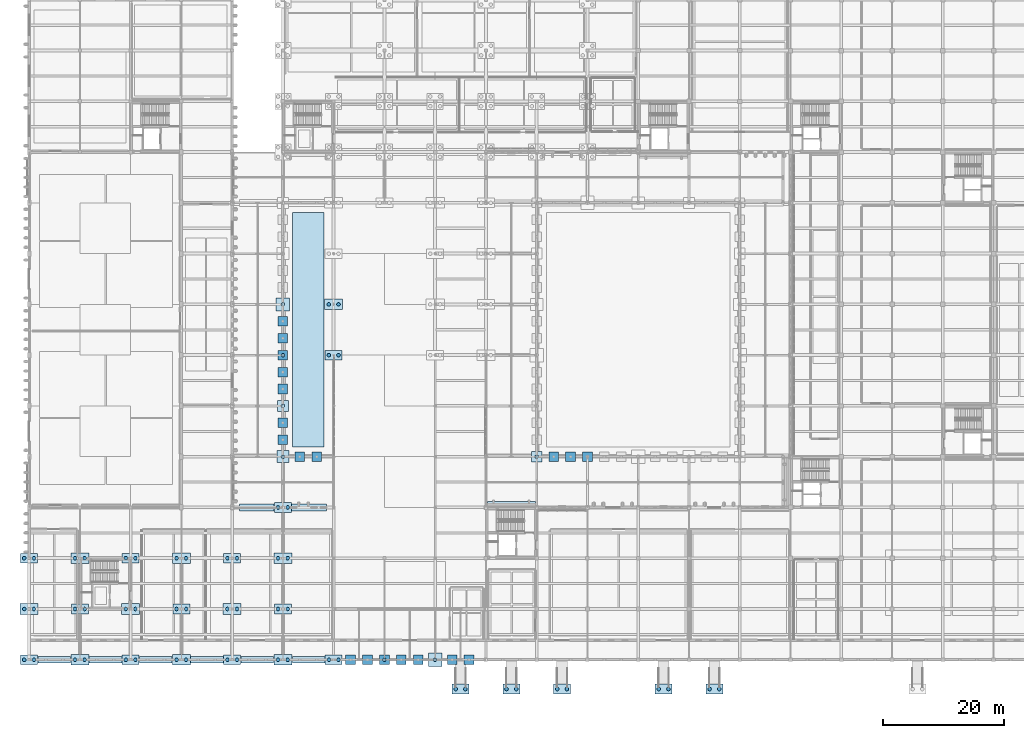
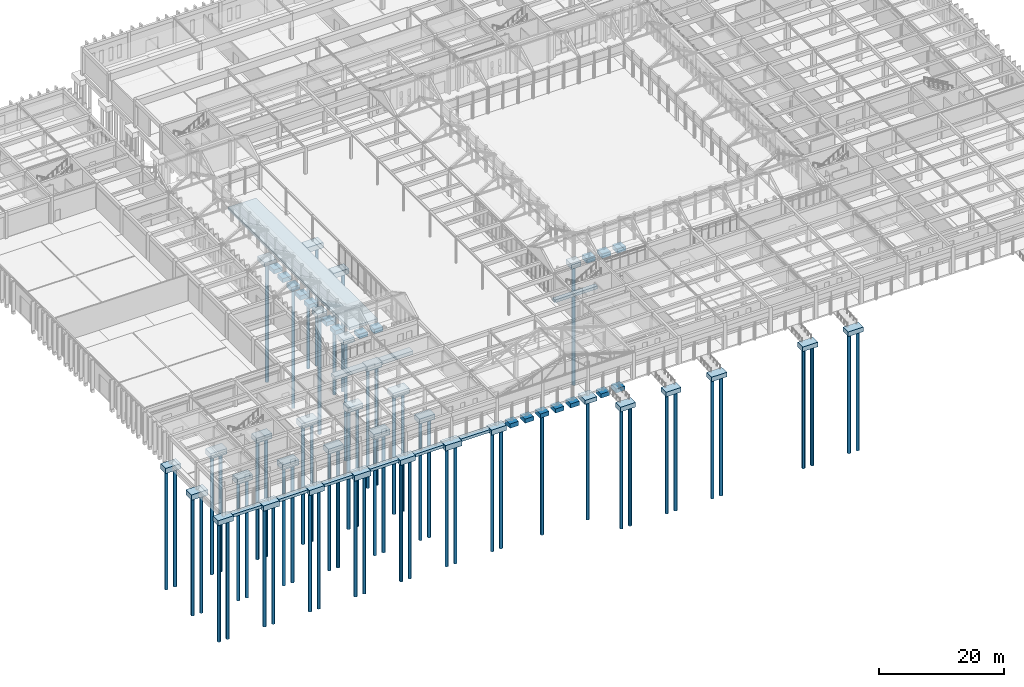
# One storey, part 1 of 143: 61 footings, 61 piles.
"""IFC4 building model written with IfcOpenShell, lengths in metres."""

from ifc_helpers import new_model, si_unit, direction, frame, origin, origin_2d, place, context, subcontext, project, spatial, polyline, rectangle, circle, outline, extrude, material, material_profile, profile_set, type_object, element, save


model = new_model("IFC4")

# Units and contexts
model_context = context("Model", 3, precision=1e-05, world=origin(), true_north=direction((0.0, 1.0)))
body_context = subcontext(model_context, "Body", "Model", "MODEL_VIEW")
ifc_project = project(units=[si_unit("LENGTHUNIT", "METRE"), si_unit("AREAUNIT", "SQUARE_METRE"), si_unit("VOLUMEUNIT", "CUBIC_METRE"), si_unit("PLANEANGLEUNIT", "RADIAN"), si_unit("MASSUNIT", "GRAM", prefix="KILO")], contexts=[model_context])

# Site, building, storey
site_placement = place(None, origin())
site = spatial("IfcSite", under=ifc_project, at=site_placement, CompositionType="ELEMENT")
building_placement = place(site_placement, origin())
building = spatial("IfcBuilding", under=site, at=building_placement, Name="Kveldsbrygga Polytechnic", CompositionType="ELEMENT")
storey_placement = place(building_placement, origin())
storey = spatial("IfcBuildingStorey", under=building, at=storey_placement, Name="L00", CompositionType="ELEMENT", Elevation=0.0)

# Footings
ifc_material_1 = material(Name="Concrete C45/55", Category="concrete")
footing_type_1 = type_object("IfcFootingType", Name="PC-2P-LIGHT", PredefinedType="PILE_CAP", material=ifc_material_1)
for number, where, z_axis, x_axis, name in (
    (1, (0.0, 0.0, -1.320068359375), (0.0, 0.0, 1.0), (1.0, 0.0, 0.0), "Foundation FND-00-00"),
    (2, (0.0, 16.800048828125, -1.320068359375), (0.0, 0.0, 1.0), (1.0, 0.0, 0.0), "Foundation FND-00-02"),
    (3, (8.39990234375, 8.39990234375, -1.320068359375), (0.0, 0.0, 1.0), (1.0, 0.0, 0.0), "Foundation FND-01-01"),
    (4, (16.800048828125, 0.0, -1.320068359375), (0.0, 0.0, 1.0), (1.0, 0.0, 0.0), "Foundation FND-02-00"),
    (5, (16.800048828125, 16.800048828125, -1.320068359375), (0.0, 0.0, 1.0), (1.0, 0.0, 0.0), "Foundation FND-02-02"),
    (6, (25.199951171875, 8.39990234375, -1.320068359375), (0.0, 0.0, 1.0), (1.0, 0.0, 0.0), "Foundation FND-03-01"),
    (7, (33.60009765625, 0.0, -1.320068359375), (0.0, 0.0, 1.0), (1.0, 0.0, 0.0), "Foundation FND-04-00"),
    (8, (33.60009765625, 16.800048828125, -1.320068359375), (0.0, 0.0, 1.0), (1.0, 0.0, 0.0), "Foundation FND-04-02"),
    (9, (42.0, 8.39990234375, -1.320068359375), (0.0, 0.0, 1.0), (1.0, 0.0, 0.0), "Foundation FND-05-01"),
    (10, (42.0, 25.199951171875, -1.320068359375), (0.0, 0.0, 1.0), (1.0, 0.0, 0.0), "Foundation FND-05-03"),
    (11, (50.39990234375, 0.0, -1.320068359375), (0.0, 0.0, 1.0), (1.0, 0.0, 0.0), "Foundation FND-06-00"),
    (12, (50.39990234375, 50.39990234375, -1.320068359375), (0.0, 0.0, 1.0), (1.0, 0.0, 0.0), "Foundation FND-06-06"),
):
    element("IfcFooting", number, at=place(storey_placement, frame(where, z_axis=z_axis, x_axis=x_axis)), inside=storey, type_object=footing_type_1, Name=name, PredefinedType="PILE_CAP", context=body_context, shape_type="SweptSolid", body=[
        extrude(rectangle(XDim=2.800048828125, YDim=1.60009765625, at=origin_2d()), origin(), (0.0, 0.0, 1.0), 1.0),
    ])
for number, where, z_axis, x_axis, name in (
    (13, (71.39990234375, -4.85009765625, -1.179931640625), (0.0, 0.0, 1.0), (1.0, 0.0, 0.0), "Ramp Pile Cap RMP-01-FND-BOT"),
    (14, (79.800048828125, -4.85009765625, -1.179931640625), (0.0, 0.0, 1.0), (1.0, 0.0, 0.0), "Ramp Pile Cap RMP-02-FND-BOT"),
    (15, (88.199951171875, -4.85009765625, -1.179931640625), (0.0, 0.0, 1.0), (1.0, 0.0, 0.0), "Ramp Pile Cap RMP-03-FND-BOT"),
    (16, (105.0, -4.85009765625, -1.179931640625), (0.0, 0.0, 1.0), (1.0, 0.0, 0.0), "Ramp Pile Cap RMP-04-FND-BOT"),
    (17, (113.39990234375, -4.85009765625, -1.179931640625), (0.0, 0.0, 1.0), (1.0, 0.0, 0.0), "Ramp Pile Cap RMP-05-FND-BOT"),
):
    element("IfcFooting", number, at=place(storey_placement, frame(where, z_axis=z_axis, x_axis=x_axis)), inside=storey, type_object=footing_type_1, Name=name, PredefinedType="PILE_CAP", context=body_context, shape_type="SweptSolid", body=[
        extrude(rectangle(XDim=2.800048828125, YDim=1.60009765625, at=origin_2d()), origin(), (0.0, 0.0, 1.0), 0.89990234375),
    ])
footing_type_2 = type_object("IfcFootingType", Name="PC-2P-MED", PredefinedType="PILE_CAP", material=ifc_material_1)
for number, where, z_axis, x_axis, name in (
    (18, (0.0, 8.39990234375, -1.3701171875), (0.0, 0.0, 1.0), (1.0, 0.0, 0.0), "Foundation FND-00-01"),
    (19, (8.39990234375, 0.0, -1.3701171875), (0.0, 0.0, 1.0), (1.0, 0.0, 0.0), "Foundation FND-01-00"),
    (20, (8.39990234375, 16.800048828125, -1.3701171875), (0.0, 0.0, 1.0), (1.0, 0.0, 0.0), "Foundation FND-01-02"),
    (21, (16.800048828125, 8.39990234375, -1.3701171875), (0.0, 0.0, 1.0), (1.0, 0.0, 0.0), "Foundation FND-02-01"),
    (22, (25.199951171875, 0.0, -1.3701171875), (0.0, 0.0, 1.0), (1.0, 0.0, 0.0), "Foundation FND-03-00"),
    (23, (25.199951171875, 16.800048828125, -1.3701171875), (0.0, 0.0, 1.0), (1.0, 0.0, 0.0), "Foundation FND-03-02"),
    (24, (33.60009765625, 8.39990234375, -1.3701171875), (0.0, 0.0, 1.0), (1.0, 0.0, 0.0), "Foundation FND-04-01"),
    (25, (42.0, 0.0, -1.3701171875), (0.0, 0.0, 1.0), (1.0, 0.0, 0.0), "Foundation FND-05-00"),
    (26, (42.0, 16.800048828125, -1.3701171875), (0.0, 0.0, 1.0), (1.0, 0.0, 0.0), "Foundation FND-05-02"),
    (27, (50.39990234375, 58.800048828125, -1.3701171875), (0.0, 0.0, 1.0), (1.0, 0.0, 0.0), "Foundation FND-06-07"),
):
    element("IfcFooting", number, at=place(storey_placement, frame(where, z_axis=z_axis, x_axis=x_axis)), inside=storey, type_object=footing_type_2, Name=name, PredefinedType="PILE_CAP", context=body_context, shape_type="SweptSolid", body=[
        extrude(rectangle(XDim=3.0, YDim=1.75, at=origin_2d()), origin(), (0.0, 0.0, 1.0), 1.050048828125),
    ])
ifc_material_2 = material(Name="Concrete C35/45", Category="concrete")
footing_type_3 = type_object("IfcFootingType", Name="PF-ARCADE-A", PredefinedType="PAD_FOOTING", material=ifc_material_2)
for number, where, z_axis, x_axis, name in (
    (28, (42.0, 58.800048828125, -1.1201171875), (0.0, 0.0, 1.0), (1.0, 0.0, 0.0), "Foundation FND-05-07"),
    (29, (67.199951171875, 0.0, -1.1201171875), (0.0, 0.0, 1.0), (1.0, 0.0, 0.0), "Foundation FND-08-00"),
):
    element("IfcFooting", number, at=place(storey_placement, frame(where, z_axis=z_axis, x_axis=x_axis)), inside=storey, type_object=footing_type_3, Name=name, PredefinedType="PAD_FOOTING", context=body_context, shape_type="SweptSolid", body=[
        extrude(rectangle(XDim=2.199951171875, YDim=2.199951171875, at=origin_2d()), origin(), (0.0, 0.0, 1.0), 0.800048828125),
    ])
footing_type_4 = type_object("IfcFootingType", Name="PF-ARCADE-B", PredefinedType="PAD_FOOTING", material=ifc_material_2)
for number, where, z_axis, x_axis, name in (
    (30, (42.0, 42.0, -1.170166015625), (0.0, 0.0, 1.0), (1.0, 0.0, 0.0), "Foundation FND-05-05"),
    (31, (84.0, 33.60009765625, -1.170166015625), (0.0, 0.0, 1.0), (1.0, 0.0, 0.0), "Foundation FND-10-04"),
):
    element("IfcFooting", number, at=place(storey_placement, frame(where, z_axis=z_axis, x_axis=x_axis)), inside=storey, type_object=footing_type_4, Name=name, PredefinedType="PAD_FOOTING", context=body_context, shape_type="SweptSolid", body=[
        extrude(rectangle(XDim=1.800048828125, YDim=1.800048828125, at=origin_2d()), origin(), (0.0, 0.0, 1.0), 0.85009765625),
    ])
footing_type_5 = type_object("IfcFootingType", Name="PF-ARCADE-C", PredefinedType="PAD_FOOTING", material=ifc_material_2)
footing_1_placement = place(storey_placement, frame((42.0, 33.60009765625, -1.219970703125), z_axis=(0.0, 0.0, 1.0), x_axis=(1.0, 0.0, 0.0)))
element("IfcFooting", 32, at=footing_1_placement, inside=storey, type_object=footing_type_5, Name="Foundation FND-05-04", PredefinedType="PAD_FOOTING", context=body_context, shape_type="SweptSolid", body=[
    extrude(rectangle(XDim=2.0, YDim=2.0, at=origin_2d()), origin(), (0.0, 0.0, 1.0), 0.89990234375),
])
footing_2_placement = place(storey_placement, frame((0.0, 0.0, -0.800048828125)))
element("IfcFooting", 33, at=footing_2_placement, inside=storey, type_object=footing_type_5, Name="Courtyard Paving Subbase WCOURT", PredefinedType="PAD_FOOTING", context=body_context, shape_type="SweptSolid", body=[
    extrude(outline(polyline([(43.60009765625, 35.199951171875), (48.800048828125, 35.199951171875), (48.800048828125, 74.0), (43.60009765625, 74.0), (43.60009765625, 35.199951171875)])), origin(), (0.0, 0.0, 1.0), 0.52001953125),
])
footing_type_6 = type_object("IfcFootingType", Name="PF-ARCADE-D", PredefinedType="PAD_FOOTING", material=ifc_material_2)
for number, where, z_axis, x_axis, name in (
    (34, (42.0, 50.39990234375, -1.14013671875), (0.0, 0.0, 1.0), (1.0, 0.0, 0.0), "Foundation FND-05-06"),
    (35, (58.800048828125, 0.0, -1.14013671875), (0.0, 0.0, 1.0), (1.0, 0.0, 0.0), "Foundation FND-07-00"),
    (36, (92.39990234375, 33.60009765625, -1.14013671875), (0.0, 0.0, 1.0), (1.0, 0.0, 0.0), "Foundation FND-11-04"),
    (37, (53.199951171875, 0.0, -1.14013671875), (0.0, 0.0, 1.0), (1.0, 0.0, 0.0), "Arcade Pier Footing FND-ARC-013"),
    (38, (56.0, 0.0, -1.14013671875), (0.0, 0.0, 1.0), (1.0, 0.0, 0.0), "Arcade Pier Footing FND-ARC-014"),
    (39, (61.60009765625, 0.0, -1.14013671875), (0.0, 0.0, 1.0), (1.0, 0.0, 0.0), "Arcade Pier Footing FND-ARC-015"),
    (40, (64.39990234375, 0.0, -1.14013671875), (0.0, 0.0, 1.0), (1.0, 0.0, 0.0), "Arcade Pier Footing FND-ARC-016"),
    (41, (70.0, 0.0, -1.14013671875), (0.0, 0.0, 1.0), (1.0, 0.0, 0.0), "Arcade Pier Footing FND-ARC-017"),
    (42, (72.800048828125, 0.0, -1.14013671875), (0.0, 0.0, 1.0), (1.0, 0.0, 0.0), "Arcade Pier Footing FND-ARC-018"),
    (43, (44.800048828125, 33.60009765625, -1.14013671875), (0.0, 0.0, 1.0), (1.0, 0.0, 0.0), "Arcade Pier Footing FND-ARC-041"),
    (44, (47.60009765625, 33.60009765625, -1.14013671875), (0.0, 0.0, 1.0), (1.0, 0.0, 0.0), "Arcade Pier Footing FND-ARC-042"),
    (45, (42.0, 36.39990234375, -1.14013671875), (0.0, 0.0, 1.0), (1.0, 0.0, 0.0), "Arcade Pier Footing FND-ARC-045"),
    (46, (42.0, 39.199951171875, -1.14013671875), (0.0, 0.0, 1.0), (1.0, 0.0, 0.0), "Arcade Pier Footing FND-ARC-046"),
    (47, (42.0, 44.800048828125, -1.14013671875), (0.0, 0.0, 1.0), (1.0, 0.0, 0.0), "Arcade Pier Footing FND-ARC-047"),
    (48, (42.0, 47.60009765625, -1.14013671875), (0.0, 0.0, 1.0), (1.0, 0.0, 0.0), "Arcade Pier Footing FND-ARC-048"),
    (49, (42.0, 53.199951171875, -1.14013671875), (0.0, 0.0, 1.0), (1.0, 0.0, 0.0), "Arcade Pier Footing FND-ARC-049"),
    (50, (42.0, 56.0, -1.14013671875), (0.0, 0.0, 1.0), (1.0, 0.0, 0.0), "Arcade Pier Footing FND-ARC-050"),
    (51, (86.800048828125, 33.60009765625, -1.14013671875), (0.0, 0.0, 1.0), (1.0, 0.0, 0.0), "Arcade Pier Footing FND-ARC-055"),
    (52, (89.60009765625, 33.60009765625, -1.14013671875), (0.0, 0.0, 1.0), (1.0, 0.0, 0.0), "Arcade Pier Footing FND-ARC-056"),
):
    element("IfcFooting", number, at=place(storey_placement, frame(where, z_axis=z_axis, x_axis=x_axis)), inside=storey, type_object=footing_type_6, Name=name, PredefinedType="PAD_FOOTING", context=body_context, shape_type="SweptSolid", body=[
        extrude(rectangle(XDim=1.60009765625, YDim=1.60009765625, at=origin_2d()), origin(), (0.0, 0.0, 1.0), 0.820068359375),
    ])

# Piles
ifc_material_profile = material_profile(ifc_material_1, circle(Radius=0.300048828125, at=origin_2d()), Name="PILE D600")
ifc_profile_set = profile_set([ifc_material_profile], Name="Concrete C45/55")
pile_type = type_object("IfcPileType", Name="PILE-D600", PredefinedType="BORED", material=ifc_profile_set)
for number, where, z_axis, x_axis, name in (
    (53, (-0.800048828125, 0.0, -1.169921875), (0.0, 0.0, -1.0), (1.0, 0.0, 0.0), "Bored Pile PIL-00-00-1"),
    (54, (0.800048828125, 0.0, -1.169921875), (0.0, 0.0, -1.0), (1.0, 0.0, 0.0), "Bored Pile PIL-00-00-2"),
):
    element("IfcPile", number, at=place(storey_placement, frame(where, z_axis=z_axis, x_axis=x_axis)), inside=storey, type_object=pile_type, Name=name, PredefinedType="BORED", context=body_context, shape_type="SweptSolid", body=[
        extrude(circle(Radius=0.300048828125, at=origin_2d()), origin(), (0.0, 0.0, 1.0), 23.330078125),
    ])
for number, where, z_axis, x_axis, name in (
    (55, (-0.800048828125, 8.39990234375, -1.219970703125), (0.0, 0.0, -1.0), (1.0, 0.0, 0.0), "Bored Pile PIL-00-01-1"),
    (56, (0.800048828125, 8.39990234375, -1.219970703125), (0.0, 0.0, -1.0), (1.0, 0.0, 0.0), "Bored Pile PIL-00-01-2"),
):
    element("IfcPile", number, at=place(storey_placement, frame(where, z_axis=z_axis, x_axis=x_axis)), inside=storey, type_object=pile_type, Name=name, PredefinedType="BORED", context=body_context, shape_type="SweptSolid", body=[
        extrude(circle(Radius=0.300048828125, at=origin_2d()), origin(), (0.0, 0.0, 1.0), 23.280029296875),
    ])
for number, where, z_axis, x_axis, name in (
    (57, (-0.800048828125, 16.800048828125, -1.169921875), (0.0, 0.0, -1.0), (1.0, 0.0, 0.0), "Bored Pile PIL-00-02-1"),
    (58, (0.800048828125, 16.800048828125, -1.169921875), (0.0, 0.0, -1.0), (1.0, 0.0, 0.0), "Bored Pile PIL-00-02-2"),
):
    element("IfcPile", number, at=place(storey_placement, frame(where, z_axis=z_axis, x_axis=x_axis)), inside=storey, type_object=pile_type, Name=name, PredefinedType="BORED", context=body_context, shape_type="SweptSolid", body=[
        extrude(circle(Radius=0.300048828125, at=origin_2d()), origin(), (0.0, 0.0, 1.0), 23.330078125),
    ])
for number, where, z_axis, x_axis, name in (
    (59, (7.60009765625, 0.0, -1.219970703125), (0.0, 0.0, -1.0), (1.0, 0.0, 0.0), "Bored Pile PIL-01-00-1"),
    (60, (9.199951171875, 0.0, -1.219970703125), (0.0, 0.0, -1.0), (1.0, 0.0, 0.0), "Bored Pile PIL-01-00-2"),
):
    element("IfcPile", number, at=place(storey_placement, frame(where, z_axis=z_axis, x_axis=x_axis)), inside=storey, type_object=pile_type, Name=name, PredefinedType="BORED", context=body_context, shape_type="SweptSolid", body=[
        extrude(circle(Radius=0.300048828125, at=origin_2d()), origin(), (0.0, 0.0, 1.0), 23.280029296875),
    ])
for number, where, z_axis, x_axis, name in (
    (61, (7.60009765625, 8.39990234375, -1.169921875), (0.0, 0.0, -1.0), (1.0, 0.0, 0.0), "Bored Pile PIL-01-01-1"),
    (62, (9.199951171875, 8.39990234375, -1.169921875), (0.0, 0.0, -1.0), (1.0, 0.0, 0.0), "Bored Pile PIL-01-01-2"),
):
    element("IfcPile", number, at=place(storey_placement, frame(where, z_axis=z_axis, x_axis=x_axis)), inside=storey, type_object=pile_type, Name=name, PredefinedType="BORED", context=body_context, shape_type="SweptSolid", body=[
        extrude(circle(Radius=0.300048828125, at=origin_2d()), origin(), (0.0, 0.0, 1.0), 23.330078125),
    ])
for number, where, z_axis, x_axis, name in (
    (63, (7.60009765625, 16.800048828125, -1.219970703125), (0.0, 0.0, -1.0), (1.0, 0.0, 0.0), "Bored Pile PIL-01-02-1"),
    (64, (9.199951171875, 16.800048828125, -1.219970703125), (0.0, 0.0, -1.0), (1.0, 0.0, 0.0), "Bored Pile PIL-01-02-2"),
):
    element("IfcPile", number, at=place(storey_placement, frame(where, z_axis=z_axis, x_axis=x_axis)), inside=storey, type_object=pile_type, Name=name, PredefinedType="BORED", context=body_context, shape_type="SweptSolid", body=[
        extrude(circle(Radius=0.300048828125, at=origin_2d()), origin(), (0.0, 0.0, 1.0), 23.280029296875),
    ])
for number, where, z_axis, x_axis, name in (
    (65, (16.0, 0.0, -1.169921875), (0.0, 0.0, -1.0), (1.0, 0.0, 0.0), "Bored Pile PIL-02-00-1"),
    (66, (17.60009765625, 0.0, -1.169921875), (0.0, 0.0, -1.0), (1.0, 0.0, 0.0), "Bored Pile PIL-02-00-2"),
):
    element("IfcPile", number, at=place(storey_placement, frame(where, z_axis=z_axis, x_axis=x_axis)), inside=storey, type_object=pile_type, Name=name, PredefinedType="BORED", context=body_context, shape_type="SweptSolid", body=[
        extrude(circle(Radius=0.300048828125, at=origin_2d()), origin(), (0.0, 0.0, 1.0), 23.330078125),
    ])
for number, where, z_axis, x_axis, name in (
    (67, (16.0, 8.39990234375, -1.219970703125), (0.0, 0.0, -1.0), (1.0, 0.0, 0.0), "Bored Pile PIL-02-01-1"),
    (68, (17.60009765625, 8.39990234375, -1.219970703125), (0.0, 0.0, -1.0), (1.0, 0.0, 0.0), "Bored Pile PIL-02-01-2"),
):
    element("IfcPile", number, at=place(storey_placement, frame(where, z_axis=z_axis, x_axis=x_axis)), inside=storey, type_object=pile_type, Name=name, PredefinedType="BORED", context=body_context, shape_type="SweptSolid", body=[
        extrude(circle(Radius=0.300048828125, at=origin_2d()), origin(), (0.0, 0.0, 1.0), 23.280029296875),
    ])
for number, where, z_axis, x_axis, name in (
    (69, (16.0, 16.800048828125, -1.169921875), (0.0, 0.0, -1.0), (1.0, 0.0, 0.0), "Bored Pile PIL-02-02-1"),
    (70, (17.60009765625, 16.800048828125, -1.169921875), (0.0, 0.0, -1.0), (1.0, 0.0, 0.0), "Bored Pile PIL-02-02-2"),
):
    element("IfcPile", number, at=place(storey_placement, frame(where, z_axis=z_axis, x_axis=x_axis)), inside=storey, type_object=pile_type, Name=name, PredefinedType="BORED", context=body_context, shape_type="SweptSolid", body=[
        extrude(circle(Radius=0.300048828125, at=origin_2d()), origin(), (0.0, 0.0, 1.0), 23.330078125),
    ])
for number, where, z_axis, x_axis, name in (
    (71, (24.39990234375, 0.0, -1.219970703125), (0.0, 0.0, -1.0), (1.0, 0.0, 0.0), "Bored Pile PIL-03-00-1"),
    (72, (26.0, 0.0, -1.219970703125), (0.0, 0.0, -1.0), (1.0, 0.0, 0.0), "Bored Pile PIL-03-00-2"),
):
    element("IfcPile", number, at=place(storey_placement, frame(where, z_axis=z_axis, x_axis=x_axis)), inside=storey, type_object=pile_type, Name=name, PredefinedType="BORED", context=body_context, shape_type="SweptSolid", body=[
        extrude(circle(Radius=0.300048828125, at=origin_2d()), origin(), (0.0, 0.0, 1.0), 23.280029296875),
    ])
for number, where, z_axis, x_axis, name in (
    (73, (24.39990234375, 8.39990234375, -1.169921875), (0.0, 0.0, -1.0), (1.0, 0.0, 0.0), "Bored Pile PIL-03-01-1"),
    (74, (26.0, 8.39990234375, -1.169921875), (0.0, 0.0, -1.0), (1.0, 0.0, 0.0), "Bored Pile PIL-03-01-2"),
):
    element("IfcPile", number, at=place(storey_placement, frame(where, z_axis=z_axis, x_axis=x_axis)), inside=storey, type_object=pile_type, Name=name, PredefinedType="BORED", context=body_context, shape_type="SweptSolid", body=[
        extrude(circle(Radius=0.300048828125, at=origin_2d()), origin(), (0.0, 0.0, 1.0), 23.330078125),
    ])
for number, where, z_axis, x_axis, name in (
    (75, (24.39990234375, 16.800048828125, -1.219970703125), (0.0, 0.0, -1.0), (1.0, 0.0, 0.0), "Bored Pile PIL-03-02-1"),
    (76, (26.0, 16.800048828125, -1.219970703125), (0.0, 0.0, -1.0), (1.0, 0.0, 0.0), "Bored Pile PIL-03-02-2"),
):
    element("IfcPile", number, at=place(storey_placement, frame(where, z_axis=z_axis, x_axis=x_axis)), inside=storey, type_object=pile_type, Name=name, PredefinedType="BORED", context=body_context, shape_type="SweptSolid", body=[
        extrude(circle(Radius=0.300048828125, at=origin_2d()), origin(), (0.0, 0.0, 1.0), 23.280029296875),
    ])
for number, where, z_axis, x_axis, name in (
    (77, (32.800048828125, 0.0, -1.169921875), (0.0, 0.0, -1.0), (1.0, 0.0, 0.0), "Bored Pile PIL-04-00-1"),
    (78, (34.39990234375, 0.0, -1.169921875), (0.0, 0.0, -1.0), (1.0, 0.0, 0.0), "Bored Pile PIL-04-00-2"),
):
    element("IfcPile", number, at=place(storey_placement, frame(where, z_axis=z_axis, x_axis=x_axis)), inside=storey, type_object=pile_type, Name=name, PredefinedType="BORED", context=body_context, shape_type="SweptSolid", body=[
        extrude(circle(Radius=0.300048828125, at=origin_2d()), origin(), (0.0, 0.0, 1.0), 23.330078125),
    ])
for number, where, z_axis, x_axis, name in (
    (79, (32.800048828125, 8.39990234375, -1.219970703125), (0.0, 0.0, -1.0), (1.0, 0.0, 0.0), "Bored Pile PIL-04-01-1"),
    (80, (34.39990234375, 8.39990234375, -1.219970703125), (0.0, 0.0, -1.0), (1.0, 0.0, 0.0), "Bored Pile PIL-04-01-2"),
):
    element("IfcPile", number, at=place(storey_placement, frame(where, z_axis=z_axis, x_axis=x_axis)), inside=storey, type_object=pile_type, Name=name, PredefinedType="BORED", context=body_context, shape_type="SweptSolid", body=[
        extrude(circle(Radius=0.300048828125, at=origin_2d()), origin(), (0.0, 0.0, 1.0), 23.280029296875),
    ])
for number, where, z_axis, x_axis, name in (
    (81, (32.800048828125, 16.800048828125, -1.169921875), (0.0, 0.0, -1.0), (1.0, 0.0, 0.0), "Bored Pile PIL-04-02-1"),
    (82, (34.39990234375, 16.800048828125, -1.169921875), (0.0, 0.0, -1.0), (1.0, 0.0, 0.0), "Bored Pile PIL-04-02-2"),
):
    element("IfcPile", number, at=place(storey_placement, frame(where, z_axis=z_axis, x_axis=x_axis)), inside=storey, type_object=pile_type, Name=name, PredefinedType="BORED", context=body_context, shape_type="SweptSolid", body=[
        extrude(circle(Radius=0.300048828125, at=origin_2d()), origin(), (0.0, 0.0, 1.0), 23.330078125),
    ])
for number, where, z_axis, x_axis, name in (
    (83, (41.199951171875, 0.0, -1.219970703125), (0.0, 0.0, -1.0), (1.0, 0.0, 0.0), "Bored Pile PIL-05-00-1"),
    (84, (42.800048828125, 0.0, -1.219970703125), (0.0, 0.0, -1.0), (1.0, 0.0, 0.0), "Bored Pile PIL-05-00-2"),
):
    element("IfcPile", number, at=place(storey_placement, frame(where, z_axis=z_axis, x_axis=x_axis)), inside=storey, type_object=pile_type, Name=name, PredefinedType="BORED", context=body_context, shape_type="SweptSolid", body=[
        extrude(circle(Radius=0.300048828125, at=origin_2d()), origin(), (0.0, 0.0, 1.0), 23.280029296875),
    ])
for number, where, z_axis, x_axis, name in (
    (85, (41.199951171875, 8.39990234375, -1.169921875), (0.0, 0.0, -1.0), (1.0, 0.0, 0.0), "Bored Pile PIL-05-01-1"),
    (86, (42.800048828125, 8.39990234375, -1.169921875), (0.0, 0.0, -1.0), (1.0, 0.0, 0.0), "Bored Pile PIL-05-01-2"),
):
    element("IfcPile", number, at=place(storey_placement, frame(where, z_axis=z_axis, x_axis=x_axis)), inside=storey, type_object=pile_type, Name=name, PredefinedType="BORED", context=body_context, shape_type="SweptSolid", body=[
        extrude(circle(Radius=0.300048828125, at=origin_2d()), origin(), (0.0, 0.0, 1.0), 23.330078125),
    ])
for number, where, z_axis, x_axis, name in (
    (87, (41.199951171875, 16.800048828125, -1.219970703125), (0.0, 0.0, -1.0), (1.0, 0.0, 0.0), "Bored Pile PIL-05-02-1"),
    (88, (42.800048828125, 16.800048828125, -1.219970703125), (0.0, 0.0, -1.0), (1.0, 0.0, 0.0), "Bored Pile PIL-05-02-2"),
):
    element("IfcPile", number, at=place(storey_placement, frame(where, z_axis=z_axis, x_axis=x_axis)), inside=storey, type_object=pile_type, Name=name, PredefinedType="BORED", context=body_context, shape_type="SweptSolid", body=[
        extrude(circle(Radius=0.300048828125, at=origin_2d()), origin(), (0.0, 0.0, 1.0), 23.280029296875),
    ])
for number, where, z_axis, x_axis, name in (
    (89, (41.199951171875, 25.199951171875, -1.169921875), (0.0, 0.0, -1.0), (1.0, 0.0, 0.0), "Bored Pile PIL-05-03-1"),
    (90, (42.800048828125, 25.199951171875, -1.169921875), (0.0, 0.0, -1.0), (1.0, 0.0, 0.0), "Bored Pile PIL-05-03-2"),
):
    element("IfcPile", number, at=place(storey_placement, frame(where, z_axis=z_axis, x_axis=x_axis)), inside=storey, type_object=pile_type, Name=name, PredefinedType="BORED", context=body_context, shape_type="SweptSolid", body=[
        extrude(circle(Radius=0.300048828125, at=origin_2d()), origin(), (0.0, 0.0, 1.0), 23.330078125),
    ])
pile_1_placement = place(storey_placement, frame((42.0, 33.60009765625, -1.070068359375), z_axis=(0.0, 0.0, -1.0), x_axis=(1.0, 0.0, 0.0)))
element("IfcPile", 91, at=pile_1_placement, inside=storey, type_object=pile_type, Name="Bored Pile PIL-05-04-1", PredefinedType="BORED", context=body_context, shape_type="SweptSolid", body=[
    extrude(circle(Radius=0.300048828125, at=origin_2d()), origin(), (0.0, 0.0, 1.0), 23.429931640625),
])
pile_2_placement = place(storey_placement, frame((42.0, 42.0, -1.02001953125), z_axis=(0.0, 0.0, -1.0), x_axis=(1.0, 0.0, 0.0)))
element("IfcPile", 92, at=pile_2_placement, inside=storey, type_object=pile_type, Name="Bored Pile PIL-05-05-1", PredefinedType="BORED", context=body_context, shape_type="SweptSolid", body=[
    extrude(circle(Radius=0.300048828125, at=origin_2d()), origin(), (0.0, 0.0, 1.0), 23.47998046875),
])
pile_3_placement = place(storey_placement, frame((42.0, 50.39990234375, -0.989990234375), z_axis=(0.0, 0.0, -1.0), x_axis=(1.0, 0.0, 0.0)))
element("IfcPile", 93, at=pile_3_placement, inside=storey, type_object=pile_type, Name="Bored Pile PIL-05-06-1", PredefinedType="BORED", context=body_context, shape_type="SweptSolid", body=[
    extrude(circle(Radius=0.300048828125, at=origin_2d()), origin(), (0.0, 0.0, 1.0), 23.510009765625),
])
pile_4_placement = place(storey_placement, frame((42.0, 58.800048828125, -0.969970703125), z_axis=(0.0, 0.0, -1.0), x_axis=(1.0, 0.0, 0.0)))
element("IfcPile", 94, at=pile_4_placement, inside=storey, type_object=pile_type, Name="Bored Pile PIL-05-07-1", PredefinedType="BORED", context=body_context, shape_type="SweptSolid", body=[
    extrude(circle(Radius=0.300048828125, at=origin_2d()), origin(), (0.0, 0.0, 1.0), 23.530029296875),
])
for number, where, z_axis, x_axis, name in (
    (95, (49.60009765625, 0.0, -1.169921875), (0.0, 0.0, -1.0), (1.0, 0.0, 0.0), "Bored Pile PIL-06-00-1"),
    (96, (51.199951171875, 0.0, -1.169921875), (0.0, 0.0, -1.0), (1.0, 0.0, 0.0), "Bored Pile PIL-06-00-2"),
    (97, (49.60009765625, 50.39990234375, -1.169921875), (0.0, 0.0, -1.0), (1.0, 0.0, 0.0), "Bored Pile PIL-06-06-1"),
    (98, (51.199951171875, 50.39990234375, -1.169921875), (0.0, 0.0, -1.0), (1.0, 0.0, 0.0), "Bored Pile PIL-06-06-2"),
):
    element("IfcPile", number, at=place(storey_placement, frame(where, z_axis=z_axis, x_axis=x_axis)), inside=storey, type_object=pile_type, Name=name, PredefinedType="BORED", context=body_context, shape_type="SweptSolid", body=[
        extrude(circle(Radius=0.300048828125, at=origin_2d()), origin(), (0.0, 0.0, 1.0), 23.330078125),
    ])
for number, where, z_axis, x_axis, name in (
    (99, (49.60009765625, 58.800048828125, -1.219970703125), (0.0, 0.0, -1.0), (1.0, 0.0, 0.0), "Bored Pile PIL-06-07-1"),
    (100, (51.199951171875, 58.800048828125, -1.219970703125), (0.0, 0.0, -1.0), (1.0, 0.0, 0.0), "Bored Pile PIL-06-07-2"),
):
    element("IfcPile", number, at=place(storey_placement, frame(where, z_axis=z_axis, x_axis=x_axis)), inside=storey, type_object=pile_type, Name=name, PredefinedType="BORED", context=body_context, shape_type="SweptSolid", body=[
        extrude(circle(Radius=0.300048828125, at=origin_2d()), origin(), (0.0, 0.0, 1.0), 23.280029296875),
    ])
pile_5_placement = place(storey_placement, frame((58.800048828125, 0.0, -0.989990234375), z_axis=(0.0, 0.0, -1.0), x_axis=(1.0, 0.0, 0.0)))
element("IfcPile", 101, at=pile_5_placement, inside=storey, type_object=pile_type, Name="Bored Pile PIL-07-00-1", PredefinedType="BORED", context=body_context, shape_type="SweptSolid", body=[
    extrude(circle(Radius=0.300048828125, at=origin_2d()), origin(), (0.0, 0.0, 1.0), 23.510009765625),
])
pile_6_placement = place(storey_placement, frame((67.199951171875, 0.0, -0.969970703125), z_axis=(0.0, 0.0, -1.0), x_axis=(1.0, 0.0, 0.0)))
element("IfcPile", 102, at=pile_6_placement, inside=storey, type_object=pile_type, Name="Bored Pile PIL-08-00-1", PredefinedType="BORED", context=body_context, shape_type="SweptSolid", body=[
    extrude(circle(Radius=0.300048828125, at=origin_2d()), origin(), (0.0, 0.0, 1.0), 23.530029296875),
])
pile_7_placement = place(storey_placement, frame((84.0, 33.60009765625, -1.02001953125), z_axis=(0.0, 0.0, -1.0), x_axis=(1.0, 0.0, 0.0)))
element("IfcPile", 103, at=pile_7_placement, inside=storey, type_object=pile_type, Name="Bored Pile PIL-10-04-1", PredefinedType="BORED", context=body_context, shape_type="SweptSolid", body=[
    extrude(circle(Radius=0.300048828125, at=origin_2d()), origin(), (0.0, 0.0, 1.0), 23.47998046875),
])
for number, where, z_axis, x_axis, name in (
    (104, (70.60009765625, -4.85009765625, -1.050048828125), (0.0, 0.0, -1.0), (1.0, 0.0, 0.0), "Ramp Bored Pile RMP-01-PIL-BOT-1"),
    (105, (72.199951171875, -4.85009765625, -1.050048828125), (0.0, 0.0, -1.0), (1.0, 0.0, 0.0), "Ramp Bored Pile RMP-01-PIL-BOT-2"),
    (106, (79.0, -4.85009765625, -1.050048828125), (0.0, 0.0, -1.0), (1.0, 0.0, 0.0), "Ramp Bored Pile RMP-02-PIL-BOT-1"),
    (107, (80.60009765625, -4.85009765625, -1.050048828125), (0.0, 0.0, -1.0), (1.0, 0.0, 0.0), "Ramp Bored Pile RMP-02-PIL-BOT-2"),
    (108, (87.39990234375, -4.85009765625, -1.050048828125), (0.0, 0.0, -1.0), (1.0, 0.0, 0.0), "Ramp Bored Pile RMP-03-PIL-BOT-1"),
    (109, (89.0, -4.85009765625, -1.050048828125), (0.0, 0.0, -1.0), (1.0, 0.0, 0.0), "Ramp Bored Pile RMP-03-PIL-BOT-2"),
    (110, (104.199951171875, -4.85009765625, -1.050048828125), (0.0, 0.0, -1.0), (1.0, 0.0, 0.0), "Ramp Bored Pile RMP-04-PIL-BOT-1"),
    (111, (105.800048828125, -4.85009765625, -1.050048828125), (0.0, 0.0, -1.0), (1.0, 0.0, 0.0), "Ramp Bored Pile RMP-04-PIL-BOT-2"),
    (112, (112.60009765625, -4.85009765625, -1.050048828125), (0.0, 0.0, -1.0), (1.0, 0.0, 0.0), "Ramp Bored Pile RMP-05-PIL-BOT-1"),
    (113, (114.199951171875, -4.85009765625, -1.050048828125), (0.0, 0.0, -1.0), (1.0, 0.0, 0.0), "Ramp Bored Pile RMP-05-PIL-BOT-2"),
):
    element("IfcPile", number, at=place(storey_placement, frame(where, z_axis=z_axis, x_axis=x_axis)), inside=storey, type_object=pile_type, Name=name, PredefinedType="BORED", context=body_context, shape_type="SweptSolid", body=[
        extrude(circle(Radius=0.300048828125, at=origin_2d()), origin(), (0.0, 0.0, 1.0), 23.449951171875),
    ])

# Footings
footing_type_7 = type_object("IfcFootingType", Name="SF-PLINTH-850", PredefinedType="STRIP_FOOTING", material=ifc_material_2)
footing_3_placement = place(storey_placement, frame((0.0, 0.0, -0.800048828125)))
element("IfcFooting", 114, at=footing_3_placement, inside=storey, type_object=footing_type_7, Name="Bastion Strip Footing FND-BAST-L00-X-09-03", PredefinedType="STRIP_FOOTING", context=body_context, shape_type="SweptSolid", body=[
    extrude(outline(polyline([(75.840087890625, 25.455078125), (83.760009765625, 25.455078125), (83.760009765625, 26.179931640625), (75.840087890625, 26.179931640625), (75.840087890625, 25.455078125)])), origin(), (0.0, 0.0, 1.0), 0.550048828125),
])
footing_type_8 = type_object("IfcFootingType", Name="SF-WALL-A", PredefinedType="STRIP_FOOTING", material=ifc_material_2)
footing_4_placement = place(storey_placement, frame((0.0, 0.0, -0.969970703125)))
element("IfcFooting", 115, at=footing_4_placement, inside=storey, type_object=footing_type_8, Name="Strip Footing SF-W1-4", PredefinedType="STRIP_FOOTING", context=body_context, shape_type="SweptSolid", body=[
    extrude(outline(polyline([(34.800048828125, 24.60009765625), (40.550048828125, 24.60009765625), (40.550048828125, 25.800048828125), (34.800048828125, 25.800048828125), (34.800048828125, 24.60009765625)])), origin(), (0.0, 0.0, 1.0), 0.64990234375),
])
footing_5_placement = place(storey_placement, frame((0.0, 0.0, -0.969970703125)))
element("IfcFooting", 116, at=footing_5_placement, inside=storey, type_object=footing_type_8, Name="Strip Footing SF-W1-5", PredefinedType="STRIP_FOOTING", context=body_context, shape_type="SweptSolid", body=[
    extrude(outline(polyline([(43.449951171875, 24.60009765625), (49.199951171875, 24.60009765625), (49.199951171875, 25.800048828125), (43.449951171875, 25.800048828125), (43.449951171875, 24.60009765625)])), origin(), (0.0, 0.0, 1.0), 0.64990234375),
])
footing_type_9 = type_object("IfcFootingType", Name="SF-WALL-B", PredefinedType="STRIP_FOOTING", material=ifc_material_2)
footing_6_placement = place(storey_placement, frame((0.0, 0.0, -0.8701171875)))
element("IfcFooting", 117, at=footing_6_placement, inside=storey, type_object=footing_type_9, Name="Strip Footing SF-S1-0", PredefinedType="STRIP_FOOTING", context=body_context, shape_type="SweptSolid", body=[
    extrude(outline(polyline([(1.449951171875, -0.5), (6.85009765625, -0.5), (6.85009765625, 0.5), (1.449951171875, 0.5), (1.449951171875, -0.5)])), origin(), (0.0, 0.0, 1.0), 0.550048828125),
])
footing_7_placement = place(storey_placement, frame((0.0, 0.0, -0.8701171875)))
element("IfcFooting", 118, at=footing_7_placement, inside=storey, type_object=footing_type_9, Name="Strip Footing SF-S1-1", PredefinedType="STRIP_FOOTING", context=body_context, shape_type="SweptSolid", body=[
    extrude(outline(polyline([(9.949951171875, -0.5), (15.35009765625, -0.5), (15.35009765625, 0.5), (9.949951171875, 0.5), (9.949951171875, -0.5)])), origin(), (0.0, 0.0, 1.0), 0.550048828125),
])
footing_8_placement = place(storey_placement, frame((0.0, 0.0, -0.8701171875)))
element("IfcFooting", 119, at=footing_8_placement, inside=storey, type_object=footing_type_9, Name="Strip Footing SF-S1-2", PredefinedType="STRIP_FOOTING", context=body_context, shape_type="SweptSolid", body=[
    extrude(outline(polyline([(18.25, -0.5), (23.64990234375, -0.5), (23.64990234375, 0.5), (18.25, 0.5), (18.25, -0.5)])), origin(), (0.0, 0.0, 1.0), 0.550048828125),
])
footing_9_placement = place(storey_placement, frame((0.0, 0.0, -0.8701171875)))
element("IfcFooting", 120, at=footing_9_placement, inside=storey, type_object=footing_type_9, Name="Strip Footing SF-S1-3", PredefinedType="STRIP_FOOTING", context=body_context, shape_type="SweptSolid", body=[
    extrude(outline(polyline([(26.75, -0.5), (32.14990234375, -0.5), (32.14990234375, 0.5), (26.75, 0.5), (26.75, -0.5)])), origin(), (0.0, 0.0, 1.0), 0.550048828125),
])
footing_10_placement = place(storey_placement, frame((0.0, 0.0, -0.8701171875)))
element("IfcFooting", 121, at=footing_10_placement, inside=storey, type_object=footing_type_9, Name="Strip Footing SF-S1-4", PredefinedType="STRIP_FOOTING", context=body_context, shape_type="SweptSolid", body=[
    extrude(outline(polyline([(35.050048828125, -0.5), (40.449951171875, -0.5), (40.449951171875, 0.5), (35.050048828125, 0.5), (35.050048828125, -0.5)])), origin(), (0.0, 0.0, 1.0), 0.550048828125),
])
footing_11_placement = place(storey_placement, frame((0.0, 0.0, -0.8701171875)))
element("IfcFooting", 122, at=footing_11_placement, inside=storey, type_object=footing_type_9, Name="Strip Footing SF-S1-5", PredefinedType="STRIP_FOOTING", context=body_context, shape_type="SweptSolid", body=[
    extrude(outline(polyline([(43.550048828125, -0.5), (48.949951171875, -0.5), (48.949951171875, 0.5), (43.550048828125, 0.5), (43.550048828125, -0.5)])), origin(), (0.0, 0.0, 1.0), 0.550048828125),
])

save(model, "model.ifc")
